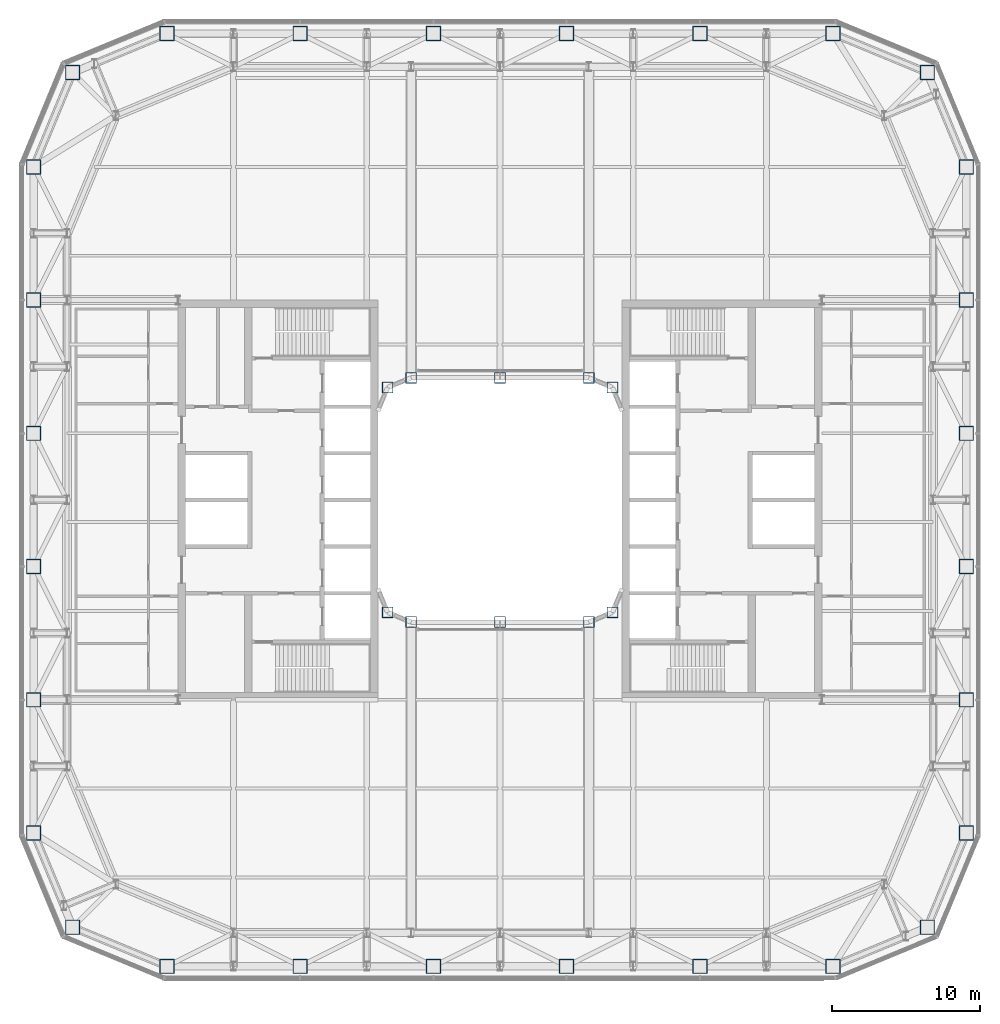
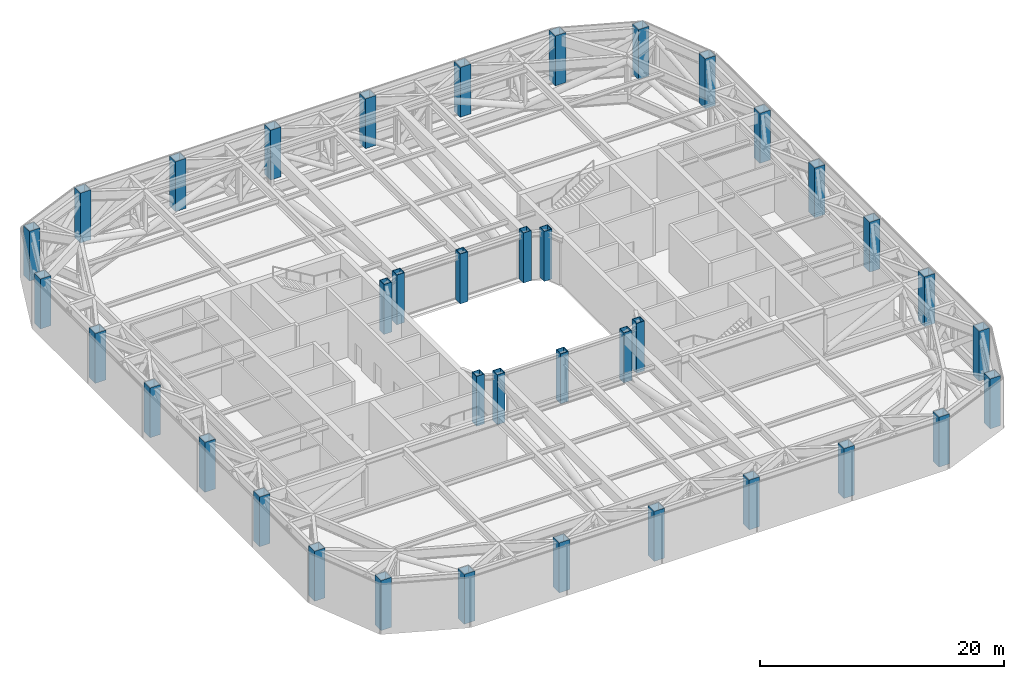
# One storey, part 1 of 33: 38 columns.
"""IFC4 building model written with IfcOpenShell, lengths in metres."""

from ifc_helpers import new_model, si_unit, direction, frame, origin, origin_2d, place, context, subcontext, project, spatial, hollow_rectangle, extrude, material, material_profile, profile_set, type_object, element, save


model = new_model("IFC4")

# Units and contexts
model_context = context("Model", 3, precision=1e-05, world=origin(), true_north=direction((0.0, 1.0)))
body_context = subcontext(model_context, "Body", "Model", "MODEL_VIEW")
ifc_project = project(units=[si_unit("LENGTHUNIT", "METRE"), si_unit("AREAUNIT", "SQUARE_METRE"), si_unit("VOLUMEUNIT", "CUBIC_METRE"), si_unit("PLANEANGLEUNIT", "RADIAN"), si_unit("MASSUNIT", "GRAM", prefix="KILO")], contexts=[model_context])

# Site, building, storey
site_placement = place(None, origin())
site = spatial("IfcSite", under=ifc_project, at=site_placement, CompositionType="ELEMENT")
building_placement = place(site_placement, origin())
building = spatial("IfcBuilding", under=site, at=building_placement, Name="Siwar Civic Tower", CompositionType="ELEMENT")
storey_placement = place(building_placement, frame((0.0, 0.0, 94.199951171875)))
storey = spatial("IfcBuildingStorey", under=building, at=storey_placement, Name="L20", CompositionType="ELEMENT", Elevation=94.199951171875)

# Columns
ifc_material_1 = material(Name="Steel S460", Category="steel")
ifc_material_profile_1 = material_profile(ifc_material_1, hollow_rectangle(XDim=1.0, YDim=1.0, WallThickness=0.06005859375, at=origin_2d()), Name="BOX1000x1000x60")
ifc_profile_set_1 = profile_set([ifc_material_profile_1], Name="Steel S460")
column_type_1 = type_object("IfcColumnType", Name="STR-COL-BOX1000x1000x60", PredefinedType="COLUMN", material=ifc_profile_set_1)
for number, where, z_axis, x_axis, name in (
    (1, (-22.5, -31.5, 0.0), (0.0, 0.0, 1.0), (1.0, 0.0, 0.0), "L20/col/S-0"),
    (2, (-13.5, -31.5, 0.0), (0.0, 0.0, 1.0), (1.0, 0.0, 0.0), "L20/col/S-1"),
    (3, (-4.5, -31.5, 0.0), (0.0, 0.0, 1.0), (1.0, 0.0, 0.0), "L20/col/S-2"),
    (4, (4.5, -31.5, 0.0), (0.0, 0.0, 1.0), (1.0, 0.0, 0.0), "L20/col/S-3"),
    (5, (13.5, -31.5, 0.0), (0.0, 0.0, 1.0), (1.0, 0.0, 0.0), "L20/col/S-4"),
    (6, (22.5, -31.5, 0.0), (0.0, 0.0, 1.0), (1.0, 0.0, 0.0), "L20/col/SE1-0"),
    (7, (28.864013671875, -28.864013671875, 0.0), (0.0, 0.0, 1.0), (1.0, 0.0, 0.0), "L20/col/SE2-0"),
    (8, (31.5, -22.5, 0.0), (0.0, 0.0, 1.0), (1.0, 0.0, 0.0), "L20/col/E-0"),
    (9, (31.5, -13.5, 0.0), (0.0, 0.0, 1.0), (1.0, 0.0, 0.0), "L20/col/E-1"),
    (10, (31.5, -4.5, 0.0), (0.0, 0.0, 1.0), (1.0, 0.0, 0.0), "L20/col/E-2"),
    (11, (31.5, 4.5, 0.0), (0.0, 0.0, 1.0), (1.0, 0.0, 0.0), "L20/col/E-3"),
    (12, (31.5, 13.5, 0.0), (0.0, 0.0, 1.0), (1.0, 0.0, 0.0), "L20/col/E-4"),
    (13, (31.5, 22.5, 0.0), (0.0, 0.0, 1.0), (1.0, 0.0, 0.0), "L20/col/NE1-0"),
    (14, (28.864013671875, 28.864013671875, 0.0), (0.0, 0.0, 1.0), (1.0, 0.0, 0.0), "L20/col/NE2-0"),
    (15, (22.5, 31.5, 0.0), (0.0, 0.0, 1.0), (1.0, 0.0, 0.0), "L20/col/N-0"),
    (16, (13.5, 31.5, 0.0), (0.0, 0.0, 1.0), (1.0, 0.0, 0.0), "L20/col/N-1"),
    (17, (4.5, 31.5, 0.0), (0.0, 0.0, 1.0), (1.0, 0.0, 0.0), "L20/col/N-2"),
    (18, (-4.5, 31.5, 0.0), (0.0, 0.0, 1.0), (1.0, 0.0, 0.0), "L20/col/N-3"),
    (19, (-13.5, 31.5, 0.0), (0.0, 0.0, 1.0), (1.0, 0.0, 0.0), "L20/col/N-4"),
    (20, (-22.5, 31.5, 0.0), (0.0, 0.0, 1.0), (1.0, 0.0, 0.0), "L20/col/NW1-0"),
    (21, (-28.864013671875, 28.864013671875, 0.0), (0.0, 0.0, 1.0), (1.0, 0.0, 0.0), "L20/col/NW2-0"),
    (22, (-31.5, 22.5, 0.0), (0.0, 0.0, 1.0), (1.0, 0.0, 0.0), "L20/col/W-0"),
    (23, (-31.5, 13.5, 0.0), (0.0, 0.0, 1.0), (1.0, 0.0, 0.0), "L20/col/W-1"),
    (24, (-31.5, 4.5, 0.0), (0.0, 0.0, 1.0), (1.0, 0.0, 0.0), "L20/col/W-2"),
    (25, (-31.5, -4.5, 0.0), (0.0, 0.0, 1.0), (1.0, 0.0, 0.0), "L20/col/W-3"),
    (26, (-31.5, -13.5, 0.0), (0.0, 0.0, 1.0), (1.0, 0.0, 0.0), "L20/col/W-4"),
    (27, (-31.5, -22.5, 0.0), (0.0, 0.0, 1.0), (1.0, 0.0, 0.0), "L20/col/SW1-0"),
    (28, (-28.864013671875, -28.864013671875, 0.0), (0.0, 0.0, 1.0), (1.0, 0.0, 0.0), "L20/col/SW2-0"),
):
    element("IfcColumn", number, at=place(storey_placement, frame(where, z_axis=z_axis, x_axis=x_axis)), inside=storey, type_object=column_type_1, Name=name, PredefinedType="COLUMN", context=body_context, shape_type="SweptSolid", body=[
        extrude(hollow_rectangle(XDim=1.0, YDim=1.0, WallThickness=0.06005859375, at=origin_2d()), origin(), (0.0, 0.0, 1.0), 5.0),
    ])
ifc_material_2 = material(Name="Steel S355", Category="steel")
ifc_material_profile_2 = material_profile(ifc_material_2, hollow_rectangle(XDim=0.75, YDim=0.75, WallThickness=0.044921875, at=origin_2d()), Name="BOX750x750x45")
ifc_profile_set_2 = profile_set([ifc_material_profile_2], Name="Steel S355")
column_type_2 = type_object("IfcColumnType", Name="STR-ICOL-BOX750x750x45", PredefinedType="COLUMN", material=ifc_profile_set_2)
for number, where, z_axis, x_axis, name in (
    (29, (-7.591064453125, -7.591064453125, 0.0), (0.0, 0.0, 1.0), (1.0, 0.0, 0.0), "L20/col/IS-0"),
    (30, (-6.0, -8.25, 0.0), (0.0, 0.0, 1.0), (1.0, 0.0, 0.0), "L20/col/IS-1"),
    (31, (0.0, -8.25, 0.0), (0.0, 0.0, 1.0), (1.0, 0.0, 0.0), "L20/col/IS-2"),
    (32, (6.0, -8.25, 0.0), (0.0, 0.0, 1.0), (1.0, 0.0, 0.0), "L20/col/IS-3"),
    (33, (7.591064453125, -7.591064453125, 0.0), (0.0, 0.0, 1.0), (1.0, 0.0, 0.0), "L20/col/IS-4"),
    (34, (-7.591064453125, 7.591064453125, 0.0), (0.0, 0.0, 1.0), (1.0, 0.0, 0.0), "L20/col/IN-0"),
    (35, (-6.0, 8.25, 0.0), (0.0, 0.0, 1.0), (1.0, 0.0, 0.0), "L20/col/IN-1"),
    (36, (0.0, 8.25, 0.0), (0.0, 0.0, 1.0), (1.0, 0.0, 0.0), "L20/col/IN-2"),
    (37, (6.0, 8.25, 0.0), (0.0, 0.0, 1.0), (1.0, 0.0, 0.0), "L20/col/IN-3"),
    (38, (7.591064453125, 7.591064453125, 0.0), (0.0, 0.0, 1.0), (1.0, 0.0, 0.0), "L20/col/IN-4"),
):
    element("IfcColumn", number, at=place(storey_placement, frame(where, z_axis=z_axis, x_axis=x_axis)), inside=storey, type_object=column_type_2, Name=name, PredefinedType="COLUMN", context=body_context, shape_type="SweptSolid", body=[
        extrude(hollow_rectangle(XDim=0.75, YDim=0.75, WallThickness=0.044921875, at=origin_2d()), origin(), (0.0, 0.0, 1.0), 5.0),
    ])

save(model, "model.ifc")
